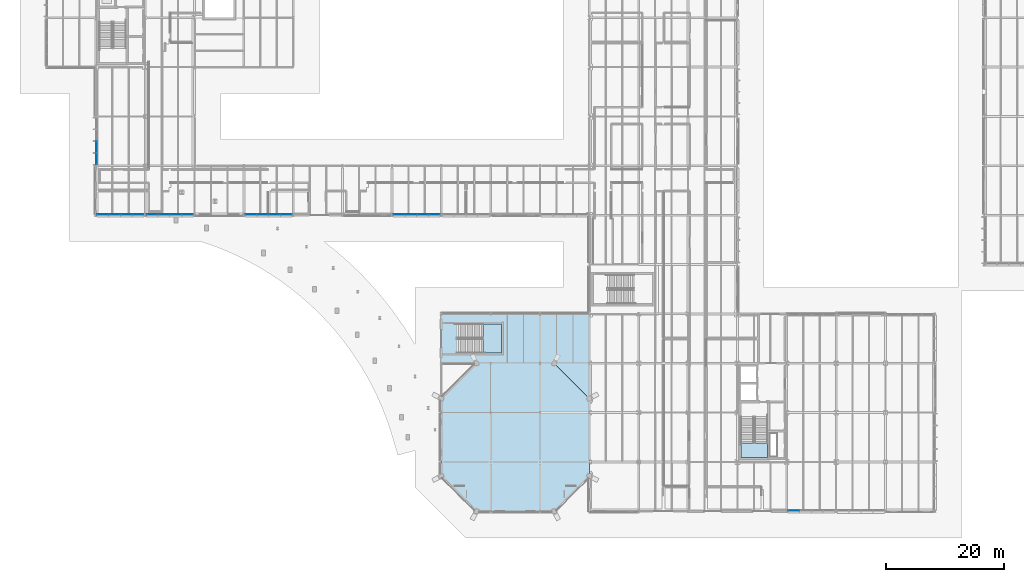
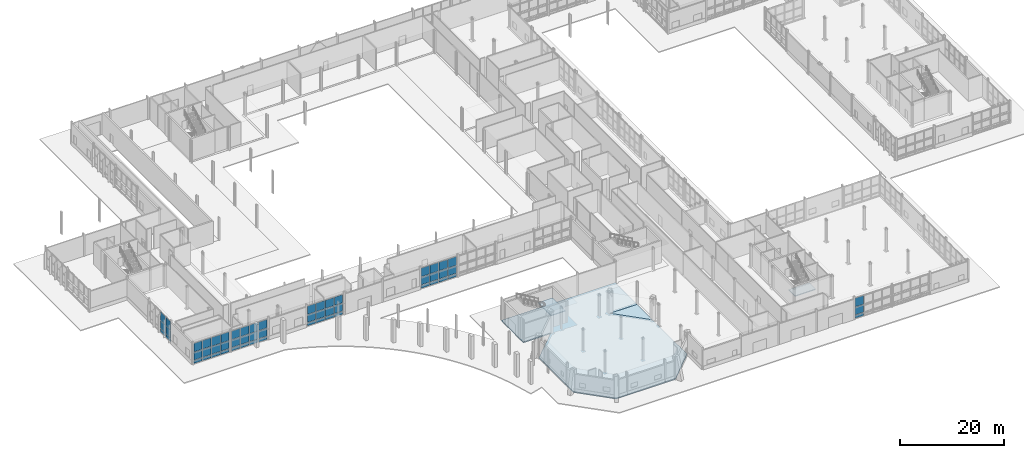
# One storey, part 70 of 124: 57 plates, 4 slabs, 8 elements without a shape of their own.
"""IFC4 building model written with IfcOpenShell, lengths in metres."""

from ifc_helpers import new_model, si_unit, direction, frame, origin, origin_2d, place, context, subcontext, project, spatial, polyline, rectangle, outline, extrude, material, layer, layer_set, type_object, element, aggregate, save


model = new_model("IFC4")

# Units and contexts
model_context = context("Model", 3, precision=1e-05, world=origin(), true_north=direction((0.0, 1.0)))
body_context = subcontext(model_context, "Body", "Model", "MODEL_VIEW")
ifc_project = project(units=[si_unit("LENGTHUNIT", "METRE"), si_unit("AREAUNIT", "SQUARE_METRE"), si_unit("VOLUMEUNIT", "CUBIC_METRE"), si_unit("PLANEANGLEUNIT", "RADIAN"), si_unit("MASSUNIT", "GRAM", prefix="KILO")], contexts=[model_context])

# Site, building, storey
site_placement = place(None, origin())
site = spatial("IfcSite", under=ifc_project, at=site_placement, CompositionType="ELEMENT")
building_placement = place(site_placement, origin())
building = spatial("IfcBuilding", under=site, at=building_placement, Name="Mersafa Astral City Hall", CompositionType="ELEMENT")
storey_placement = place(building_placement, origin())
storey = spatial("IfcBuildingStorey", under=building, at=storey_placement, Name="L00", CompositionType="ELEMENT", Elevation=0.0)

# Curtain wall, plates
ifc_material_1 = material(Name="Anodised bronze aluminium framing", Category="aluminium")
curtain_wall_type_1 = type_object("IfcCurtainWallType", Name="ENV-CW-5", PredefinedType="USERDEFINED", material=ifc_material_1)
curtain_wall_1_placement = place(storey_placement, origin())
curtain_wall_1 = element("IfcCurtainWall", 1, at=curtain_wall_1_placement, inside=storey, type_object=curtain_wall_type_1, Name="L00 Unitised solar curtain wall 40", ObjectType="UNITISED CURTAIN WALL", PredefinedType="USERDEFINED")
ifc_material_2 = material(Name="Solar control low-e double glazing", Category="glass")
ifc_layer_1 = layer(ifc_material_2, 0.028076171875, Name="Solar control low-e double glazing")
ifc_layer_set_1 = layer_set([ifc_layer_1], Name="Solar control low-e double glazing — ENV-CW-PNL-GLZ-1")
plate_type_1 = type_object("IfcPlateType", Name="ENV-CW-PNL-GLZ-1", PredefinedType="CURTAIN_PANEL", material=ifc_layer_set_1)
plate_1_placement = place(storey_placement, frame((18.00146484375, 50.52001953125, 0.05810546875), z_axis=(0.0, 0.0, 1.0), x_axis=(1.0, 0.0, 0.0)))
plate_1 = element("IfcPlate", 2, at=plate_1_placement, type_object=plate_type_1, Name="CW-5 panel 1.1", PredefinedType="CURTAIN_PANEL", context=body_context, shape_type="SweptSolid", body=[
    extrude(rectangle(XDim=1.839111328125, YDim=0.028076171875, at=origin_2d()), origin(), (0.0, 0.0, 1.0), 0.761962890625),
])
plate_2_placement = place(storey_placement, frame((18.00146484375, 50.52001953125, 0.8798828125), z_axis=(0.0, 0.0, 1.0), x_axis=(1.0, 0.0, 0.0)))
plate_2 = element("IfcPlate", 3, at=plate_2_placement, type_object=plate_type_1, Name="CW-5 panel 1.2", PredefinedType="CURTAIN_PANEL", context=body_context, shape_type="SweptSolid", body=[
    extrude(rectangle(XDim=1.839111328125, YDim=0.028076171875, at=origin_2d()), origin(), (0.0, 0.0, 1.0), 1.840087890625),
])
plate_3_placement = place(storey_placement, frame((18.00146484375, 50.52001953125, 2.7802734375), z_axis=(0.0, 0.0, 1.0), x_axis=(1.0, 0.0, 0.0)))
plate_3 = element("IfcPlate", 4, at=plate_3_placement, type_object=plate_type_1, Name="CW-5 panel 1.3", PredefinedType="CURTAIN_PANEL", context=body_context, shape_type="SweptSolid", body=[
    extrude(rectangle(XDim=1.839111328125, YDim=0.028076171875, at=origin_2d()), origin(), (0.0, 0.0, 1.0), 1.971923828125),
])
plate_4_placement = place(storey_placement, frame((19.990478515625, 50.52001953125, 0.05810546875), z_axis=(0.0, 0.0, 1.0), x_axis=(1.0, 0.0, 0.0)))
plate_4 = element("IfcPlate", 5, at=plate_4_placement, type_object=plate_type_1, Name="CW-5 panel 2.1", PredefinedType="CURTAIN_PANEL", context=body_context, shape_type="SweptSolid", body=[
    extrude(rectangle(XDim=1.89892578125, YDim=0.028076171875, at=origin_2d()), origin(), (0.0, 0.0, 1.0), 0.761962890625),
])
plate_5_placement = place(storey_placement, frame((19.990478515625, 50.52001953125, 0.8798828125), z_axis=(0.0, 0.0, 1.0), x_axis=(1.0, 0.0, 0.0)))
plate_5 = element("IfcPlate", 6, at=plate_5_placement, type_object=plate_type_1, Name="CW-5 panel 2.2", PredefinedType="CURTAIN_PANEL", context=body_context, shape_type="SweptSolid", body=[
    extrude(rectangle(XDim=1.89892578125, YDim=0.028076171875, at=origin_2d()), origin(), (0.0, 0.0, 1.0), 1.840087890625),
])
plate_6_placement = place(storey_placement, frame((19.990478515625, 50.52001953125, 2.7802734375), z_axis=(0.0, 0.0, 1.0), x_axis=(1.0, 0.0, 0.0)))
plate_6 = element("IfcPlate", 7, at=plate_6_placement, type_object=plate_type_1, Name="CW-5 panel 2.3", PredefinedType="CURTAIN_PANEL", context=body_context, shape_type="SweptSolid", body=[
    extrude(rectangle(XDim=1.89892578125, YDim=0.028076171875, at=origin_2d()), origin(), (0.0, 0.0, 1.0), 1.971923828125),
])
plate_7_placement = place(storey_placement, frame((22.009521484375, 50.52001953125, 0.05810546875), z_axis=(0.0, 0.0, 1.0), x_axis=(1.0, 0.0, 0.0)))
plate_7 = element("IfcPlate", 8, at=plate_7_placement, type_object=plate_type_1, Name="CW-5 panel 3.1", PredefinedType="CURTAIN_PANEL", context=body_context, shape_type="SweptSolid", body=[
    extrude(rectangle(XDim=1.89892578125, YDim=0.028076171875, at=origin_2d()), origin(), (0.0, 0.0, 1.0), 0.761962890625),
])
plate_8_placement = place(storey_placement, frame((22.009521484375, 50.52001953125, 0.8798828125), z_axis=(0.0, 0.0, 1.0), x_axis=(1.0, 0.0, 0.0)))
plate_8 = element("IfcPlate", 9, at=plate_8_placement, type_object=plate_type_1, Name="CW-5 panel 3.2", PredefinedType="CURTAIN_PANEL", context=body_context, shape_type="SweptSolid", body=[
    extrude(rectangle(XDim=1.89892578125, YDim=0.028076171875, at=origin_2d()), origin(), (0.0, 0.0, 1.0), 1.840087890625),
])
plate_9_placement = place(storey_placement, frame((22.009521484375, 50.52001953125, 2.7802734375), z_axis=(0.0, 0.0, 1.0), x_axis=(1.0, 0.0, 0.0)))
plate_9 = element("IfcPlate", 10, at=plate_9_placement, type_object=plate_type_1, Name="CW-5 panel 3.3", PredefinedType="CURTAIN_PANEL", context=body_context, shape_type="SweptSolid", body=[
    extrude(rectangle(XDim=1.89892578125, YDim=0.028076171875, at=origin_2d()), origin(), (0.0, 0.0, 1.0), 1.971923828125),
])
plate_10_placement = place(storey_placement, frame((23.99853515625, 50.52001953125, 0.05810546875), z_axis=(0.0, 0.0, 1.0), x_axis=(1.0, 0.0, 0.0)))
plate_10 = element("IfcPlate", 11, at=plate_10_placement, type_object=plate_type_1, Name="CW-5 panel 4.1", PredefinedType="CURTAIN_PANEL", context=body_context, shape_type="SweptSolid", body=[
    extrude(rectangle(XDim=1.839111328125, YDim=0.028076171875, at=origin_2d()), origin(), (0.0, 0.0, 1.0), 0.761962890625),
])
plate_11_placement = place(storey_placement, frame((23.99853515625, 50.52001953125, 0.8798828125), z_axis=(0.0, 0.0, 1.0), x_axis=(1.0, 0.0, 0.0)))
plate_11 = element("IfcPlate", 12, at=plate_11_placement, type_object=plate_type_1, Name="CW-5 panel 4.2", PredefinedType="CURTAIN_PANEL", context=body_context, shape_type="SweptSolid", body=[
    extrude(rectangle(XDim=1.839111328125, YDim=0.028076171875, at=origin_2d()), origin(), (0.0, 0.0, 1.0), 1.840087890625),
])
plate_12_placement = place(storey_placement, frame((23.99853515625, 50.52001953125, 2.7802734375), z_axis=(0.0, 0.0, 1.0), x_axis=(1.0, 0.0, 0.0)))
plate_12 = element("IfcPlate", 13, at=plate_12_placement, type_object=plate_type_1, Name="CW-5 panel 4.3", PredefinedType="CURTAIN_PANEL", context=body_context, shape_type="SweptSolid", body=[
    extrude(rectangle(XDim=1.839111328125, YDim=0.028076171875, at=origin_2d()), origin(), (0.0, 0.0, 1.0), 1.971923828125),
])
aggregate(curtain_wall_1, [plate_1, plate_2, plate_3, plate_4, plate_5, plate_6, plate_7, plate_8, plate_9, plate_10, plate_11, plate_12])

curtain_wall_type_2 = type_object("IfcCurtainWallType", Name="ENV-CW-2", PredefinedType="USERDEFINED", material=ifc_material_1)
curtain_wall_2_placement = place(storey_placement, origin())
curtain_wall_2 = element("IfcCurtainWall", 14, at=curtain_wall_2_placement, inside=storey, type_object=curtain_wall_type_2, Name="L00 Unitised solar curtain wall 1", ObjectType="UNITISED CURTAIN WALL", PredefinedType="USERDEFINED")
ifc_layer_2 = layer(ifc_material_2, 0.031982421875, Name="Solar control low-e double glazing")
ifc_layer_set_2 = layer_set([ifc_layer_2], Name="Solar control low-e double glazing — ENV-CW-PNL-GLZ-2")
plate_type_2 = type_object("IfcPlateType", Name="ENV-CW-PNL-GLZ-2", PredefinedType="CURTAIN_PANEL", material=ifc_layer_set_2)
plate_13_placement = place(storey_placement, frame((127.201416015625, 0.1201171875, 0.05810546875), z_axis=(0.0, 0.0, 1.0), x_axis=(1.0, 0.0, 0.0)))
plate_13 = element("IfcPlate", 15, at=plate_13_placement, type_object=plate_type_2, Name="CW-2 panel 1.1", PredefinedType="CURTAIN_PANEL", context=body_context, shape_type="SweptSolid", body=[
    extrude(rectangle(XDim=1.839111328125, YDim=0.031982421875, at=origin_2d()), origin(), (0.0, 0.0, 1.0), 0.761962890625),
])
plate_14_placement = place(storey_placement, frame((127.201416015625, 0.1201171875, 0.8798828125), z_axis=(0.0, 0.0, 1.0), x_axis=(1.0, 0.0, 0.0)))
plate_14 = element("IfcPlate", 16, at=plate_14_placement, type_object=plate_type_2, Name="CW-2 panel 1.2", PredefinedType="CURTAIN_PANEL", context=body_context, shape_type="SweptSolid", body=[
    extrude(rectangle(XDim=1.839111328125, YDim=0.031982421875, at=origin_2d()), origin(), (0.0, 0.0, 1.0), 1.840087890625),
])
plate_15_placement = place(storey_placement, frame((127.201416015625, 0.1201171875, 2.780029296875), z_axis=(0.0, 0.0, 1.0), x_axis=(1.0, 0.0, 0.0)))
plate_15 = element("IfcPlate", 17, at=plate_15_placement, type_object=plate_type_2, Name="CW-2 panel 1.3", PredefinedType="CURTAIN_PANEL", context=body_context, shape_type="SweptSolid", body=[
    extrude(rectangle(XDim=1.839111328125, YDim=0.031982421875, at=origin_2d()), origin(), (0.0, 0.0, 1.0), 2.001953125),
])
aggregate(curtain_wall_2, [plate_13, plate_14, plate_15])

curtain_wall_type_3 = type_object("IfcCurtainWallType", Name="ENV-CW-6", PredefinedType="USERDEFINED", material=ifc_material_1)
curtain_wall_3_placement = place(storey_placement, origin())
curtain_wall_3 = element("IfcCurtainWall", 18, at=curtain_wall_3_placement, inside=storey, type_object=curtain_wall_type_3, Name="L00 Unitised solar curtain wall 41", ObjectType="UNITISED CURTAIN WALL", PredefinedType="USERDEFINED")
plate_16_placement = place(storey_placement, frame((34.801513671875, 50.52001953125, 0.05810546875), z_axis=(0.0, 0.0, 1.0), x_axis=(1.0, 0.0, 0.0)))
plate_16 = element("IfcPlate", 19, at=plate_16_placement, type_object=plate_type_2, Name="CW-6 panel 1.1", PredefinedType="CURTAIN_PANEL", context=body_context, shape_type="SweptSolid", body=[
    extrude(rectangle(XDim=1.839111328125, YDim=0.031982421875, at=origin_2d()), origin(), (0.0, 0.0, 1.0), 0.761962890625),
])
plate_17_placement = place(storey_placement, frame((34.801513671875, 50.52001953125, 0.8798828125), z_axis=(0.0, 0.0, 1.0), x_axis=(1.0, 0.0, 0.0)))
plate_17 = element("IfcPlate", 20, at=plate_17_placement, type_object=plate_type_2, Name="CW-6 panel 1.2", PredefinedType="CURTAIN_PANEL", context=body_context, shape_type="SweptSolid", body=[
    extrude(rectangle(XDim=1.839111328125, YDim=0.031982421875, at=origin_2d()), origin(), (0.0, 0.0, 1.0), 1.840087890625),
])
plate_18_placement = place(storey_placement, frame((34.801513671875, 50.52001953125, 2.77978515625), z_axis=(0.0, 0.0, 1.0), x_axis=(1.0, 0.0, 0.0)))
plate_18 = element("IfcPlate", 21, at=plate_18_placement, type_object=plate_type_2, Name="CW-6 panel 1.3", PredefinedType="CURTAIN_PANEL", context=body_context, shape_type="SweptSolid", body=[
    extrude(rectangle(XDim=1.839111328125, YDim=0.031982421875, at=origin_2d()), origin(), (0.0, 0.0, 1.0), 1.927001953125),
])
plate_19_placement = place(storey_placement, frame((36.79052734375, 50.52001953125, 0.05810546875), z_axis=(0.0, 0.0, 1.0), x_axis=(1.0, 0.0, 0.0)))
plate_19 = element("IfcPlate", 22, at=plate_19_placement, type_object=plate_type_2, Name="CW-6 panel 2.1", PredefinedType="CURTAIN_PANEL", context=body_context, shape_type="SweptSolid", body=[
    extrude(rectangle(XDim=1.89892578125, YDim=0.031982421875, at=origin_2d()), origin(), (0.0, 0.0, 1.0), 0.761962890625),
])
plate_20_placement = place(storey_placement, frame((36.79052734375, 50.52001953125, 0.8798828125), z_axis=(0.0, 0.0, 1.0), x_axis=(1.0, 0.0, 0.0)))
plate_20 = element("IfcPlate", 23, at=plate_20_placement, type_object=plate_type_2, Name="CW-6 panel 2.2", PredefinedType="CURTAIN_PANEL", context=body_context, shape_type="SweptSolid", body=[
    extrude(rectangle(XDim=1.89892578125, YDim=0.031982421875, at=origin_2d()), origin(), (0.0, 0.0, 1.0), 1.840087890625),
])
plate_21_placement = place(storey_placement, frame((36.79052734375, 50.52001953125, 2.77978515625), z_axis=(0.0, 0.0, 1.0), x_axis=(1.0, 0.0, 0.0)))
plate_21 = element("IfcPlate", 24, at=plate_21_placement, type_object=plate_type_2, Name="CW-6 panel 2.3", PredefinedType="CURTAIN_PANEL", context=body_context, shape_type="SweptSolid", body=[
    extrude(rectangle(XDim=1.89892578125, YDim=0.031982421875, at=origin_2d()), origin(), (0.0, 0.0, 1.0), 1.927001953125),
])
plate_22_placement = place(storey_placement, frame((38.8095703125, 50.52001953125, 0.05810546875), z_axis=(0.0, 0.0, 1.0), x_axis=(1.0, 0.0, 0.0)))
plate_22 = element("IfcPlate", 25, at=plate_22_placement, type_object=plate_type_2, Name="CW-6 panel 3.1", PredefinedType="CURTAIN_PANEL", context=body_context, shape_type="SweptSolid", body=[
    extrude(rectangle(XDim=1.89892578125, YDim=0.031982421875, at=origin_2d()), origin(), (0.0, 0.0, 1.0), 0.761962890625),
])
plate_23_placement = place(storey_placement, frame((38.8095703125, 50.52001953125, 0.8798828125), z_axis=(0.0, 0.0, 1.0), x_axis=(1.0, 0.0, 0.0)))
plate_23 = element("IfcPlate", 26, at=plate_23_placement, type_object=plate_type_2, Name="CW-6 panel 3.2", PredefinedType="CURTAIN_PANEL", context=body_context, shape_type="SweptSolid", body=[
    extrude(rectangle(XDim=1.89892578125, YDim=0.031982421875, at=origin_2d()), origin(), (0.0, 0.0, 1.0), 1.840087890625),
])
plate_24_placement = place(storey_placement, frame((38.8095703125, 50.52001953125, 2.77978515625), z_axis=(0.0, 0.0, 1.0), x_axis=(1.0, 0.0, 0.0)))
plate_24 = element("IfcPlate", 27, at=plate_24_placement, type_object=plate_type_2, Name="CW-6 panel 3.3", PredefinedType="CURTAIN_PANEL", context=body_context, shape_type="SweptSolid", body=[
    extrude(rectangle(XDim=1.89892578125, YDim=0.031982421875, at=origin_2d()), origin(), (0.0, 0.0, 1.0), 1.927001953125),
])
plate_25_placement = place(storey_placement, frame((40.798583984375, 50.52001953125, 0.05810546875), z_axis=(0.0, 0.0, 1.0), x_axis=(1.0, 0.0, 0.0)))
plate_25 = element("IfcPlate", 28, at=plate_25_placement, type_object=plate_type_2, Name="CW-6 panel 4.1", PredefinedType="CURTAIN_PANEL", context=body_context, shape_type="SweptSolid", body=[
    extrude(rectangle(XDim=1.839111328125, YDim=0.031982421875, at=origin_2d()), origin(), (0.0, 0.0, 1.0), 0.761962890625),
])
plate_26_placement = place(storey_placement, frame((40.798583984375, 50.52001953125, 0.8798828125), z_axis=(0.0, 0.0, 1.0), x_axis=(1.0, 0.0, 0.0)))
plate_26 = element("IfcPlate", 29, at=plate_26_placement, type_object=plate_type_2, Name="CW-6 panel 4.2", PredefinedType="CURTAIN_PANEL", context=body_context, shape_type="SweptSolid", body=[
    extrude(rectangle(XDim=1.839111328125, YDim=0.031982421875, at=origin_2d()), origin(), (0.0, 0.0, 1.0), 1.840087890625),
])
plate_27_placement = place(storey_placement, frame((40.798583984375, 50.52001953125, 2.77978515625), z_axis=(0.0, 0.0, 1.0), x_axis=(1.0, 0.0, 0.0)))
plate_27 = element("IfcPlate", 30, at=plate_27_placement, type_object=plate_type_2, Name="CW-6 panel 4.3", PredefinedType="CURTAIN_PANEL", context=body_context, shape_type="SweptSolid", body=[
    extrude(rectangle(XDim=1.839111328125, YDim=0.031982421875, at=origin_2d()), origin(), (0.0, 0.0, 1.0), 1.927001953125),
])
aggregate(curtain_wall_3, [plate_16, plate_17, plate_18, plate_19, plate_20, plate_21, plate_22, plate_23, plate_24, plate_25, plate_26, plate_27])

curtain_wall_type_4 = type_object("IfcCurtainWallType", Name="ENV-CW-3", PredefinedType="USERDEFINED", material=ifc_material_1)
curtain_wall_4_placement = place(storey_placement, origin())
curtain_wall_4 = element("IfcCurtainWall", 31, at=curtain_wall_4_placement, inside=storey, type_object=curtain_wall_type_4, Name="L00 Unitised solar curtain wall 38", ObjectType="UNITISED CURTAIN WALL", PredefinedType="USERDEFINED")
ifc_layer_3 = layer(ifc_material_2, 0.035888671875, Name="Solar control low-e double glazing")
ifc_layer_set_3 = layer_set([ifc_layer_3], Name="Solar control low-e double glazing — ENV-CW-PNL-GLZ-3")
plate_type_3 = type_object("IfcPlateType", Name="ENV-CW-PNL-GLZ-3", PredefinedType="CURTAIN_PANEL", material=ifc_layer_set_3)
plate_28_placement = place(storey_placement, frame((8.52001953125, 61.990478515625, 0.05810546875), z_axis=(0.0, 0.0, 1.0), x_axis=(0.0, -1.0, 0.0)))
plate_28 = element("IfcPlate", 32, at=plate_28_placement, type_object=plate_type_3, Name="CW-3 panel 3.1", PredefinedType="CURTAIN_PANEL", context=body_context, shape_type="SweptSolid", body=[
    extrude(rectangle(XDim=1.89892578125, YDim=0.035888671875, at=origin_2d()), origin(), (0.0, 0.0, 1.0), 0.761962890625),
])
plate_29_placement = place(storey_placement, frame((8.52001953125, 61.990478515625, 0.8798828125), z_axis=(0.0, 0.0, 1.0), x_axis=(0.0, -1.0, 0.0)))
plate_29 = element("IfcPlate", 33, at=plate_29_placement, type_object=plate_type_3, Name="CW-3 panel 3.2", PredefinedType="CURTAIN_PANEL", context=body_context, shape_type="SweptSolid", body=[
    extrude(rectangle(XDim=1.89892578125, YDim=0.035888671875, at=origin_2d()), origin(), (0.0, 0.0, 1.0), 1.840087890625),
])
plate_30_placement = place(storey_placement, frame((8.52001953125, 61.990478515625, 2.7802734375), z_axis=(0.0, 0.0, 1.0), x_axis=(0.0, -1.0, 0.0)))
plate_30 = element("IfcPlate", 34, at=plate_30_placement, type_object=plate_type_3, Name="CW-3 panel 3.3", PredefinedType="CURTAIN_PANEL", context=body_context, shape_type="SweptSolid", body=[
    extrude(rectangle(XDim=1.89892578125, YDim=0.035888671875, at=origin_2d()), origin(), (0.0, 0.0, 1.0), 1.971923828125),
])
plate_31_placement = place(storey_placement, frame((8.52001953125, 60.00146484375, 0.05810546875), z_axis=(0.0, 0.0, 1.0), x_axis=(0.0, -1.0, 0.0)))
plate_31 = element("IfcPlate", 35, at=plate_31_placement, type_object=plate_type_3, Name="CW-3 panel 4.1", PredefinedType="CURTAIN_PANEL", context=body_context, shape_type="SweptSolid", body=[
    extrude(rectangle(XDim=1.839111328125, YDim=0.035888671875, at=origin_2d()), origin(), (0.0, 0.0, 1.0), 0.761962890625),
])
plate_32_placement = place(storey_placement, frame((8.52001953125, 60.00146484375, 0.8798828125), z_axis=(0.0, 0.0, 1.0), x_axis=(0.0, -1.0, 0.0)))
plate_32 = element("IfcPlate", 36, at=plate_32_placement, type_object=plate_type_3, Name="CW-3 panel 4.2", PredefinedType="CURTAIN_PANEL", context=body_context, shape_type="SweptSolid", body=[
    extrude(rectangle(XDim=1.839111328125, YDim=0.035888671875, at=origin_2d()), origin(), (0.0, 0.0, 1.0), 1.840087890625),
])
plate_33_placement = place(storey_placement, frame((8.52001953125, 60.00146484375, 2.7802734375), z_axis=(0.0, 0.0, 1.0), x_axis=(0.0, -1.0, 0.0)))
plate_33 = element("IfcPlate", 37, at=plate_33_placement, type_object=plate_type_3, Name="CW-3 panel 4.3", PredefinedType="CURTAIN_PANEL", context=body_context, shape_type="SweptSolid", body=[
    extrude(rectangle(XDim=1.839111328125, YDim=0.035888671875, at=origin_2d()), origin(), (0.0, 0.0, 1.0), 1.971923828125),
])
aggregate(curtain_wall_4, [plate_28, plate_29, plate_30, plate_31, plate_32, plate_33])

curtain_wall_type_5 = type_object("IfcCurtainWallType", Name="ENV-CW-1", PredefinedType="USERDEFINED", material=ifc_material_1)
curtain_wall_5_placement = place(storey_placement, origin())
curtain_wall_5 = element("IfcCurtainWall", 38, at=curtain_wall_5_placement, inside=storey, type_object=curtain_wall_type_5, Name="L00 Unitised solar curtain wall 42", ObjectType="UNITISED CURTAIN WALL", PredefinedType="USERDEFINED")
plate_34_placement = place(storey_placement, frame((60.00146484375, 50.52001953125, 0.05810546875), z_axis=(0.0, 0.0, 1.0), x_axis=(1.0, 0.0, 0.0)))
plate_34 = element("IfcPlate", 39, at=plate_34_placement, type_object=plate_type_3, Name="CW-1 panel 1.1", PredefinedType="CURTAIN_PANEL", context=body_context, shape_type="SweptSolid", body=[
    extrude(rectangle(XDim=1.839111328125, YDim=0.035888671875, at=origin_2d()), origin(), (0.0, 0.0, 1.0), 0.761962890625),
])
plate_35_placement = place(storey_placement, frame((60.00146484375, 50.52001953125, 0.8798828125), z_axis=(0.0, 0.0, 1.0), x_axis=(1.0, 0.0, 0.0)))
plate_35 = element("IfcPlate", 40, at=plate_35_placement, type_object=plate_type_3, Name="CW-1 panel 1.2", PredefinedType="CURTAIN_PANEL", context=body_context, shape_type="SweptSolid", body=[
    extrude(rectangle(XDim=1.839111328125, YDim=0.035888671875, at=origin_2d()), origin(), (0.0, 0.0, 1.0), 1.840087890625),
])
plate_36_placement = place(storey_placement, frame((60.00146484375, 50.52001953125, 2.780029296875), z_axis=(0.0, 0.0, 1.0), x_axis=(1.0, 0.0, 0.0)))
plate_36 = element("IfcPlate", 41, at=plate_36_placement, type_object=plate_type_3, Name="CW-1 panel 1.3", PredefinedType="CURTAIN_PANEL", context=body_context, shape_type="SweptSolid", body=[
    extrude(rectangle(XDim=1.839111328125, YDim=0.035888671875, at=origin_2d()), origin(), (0.0, 0.0, 1.0), 2.001953125),
])
plate_37_placement = place(storey_placement, frame((61.990478515625, 50.52001953125, 0.05810546875), z_axis=(0.0, 0.0, 1.0), x_axis=(1.0, 0.0, 0.0)))
plate_37 = element("IfcPlate", 42, at=plate_37_placement, type_object=plate_type_3, Name="CW-1 panel 2.1", PredefinedType="CURTAIN_PANEL", context=body_context, shape_type="SweptSolid", body=[
    extrude(rectangle(XDim=1.89892578125, YDim=0.035888671875, at=origin_2d()), origin(), (0.0, 0.0, 1.0), 0.761962890625),
])
plate_38_placement = place(storey_placement, frame((61.990478515625, 50.52001953125, 0.8798828125), z_axis=(0.0, 0.0, 1.0), x_axis=(1.0, 0.0, 0.0)))
plate_38 = element("IfcPlate", 43, at=plate_38_placement, type_object=plate_type_3, Name="CW-1 panel 2.2", PredefinedType="CURTAIN_PANEL", context=body_context, shape_type="SweptSolid", body=[
    extrude(rectangle(XDim=1.89892578125, YDim=0.035888671875, at=origin_2d()), origin(), (0.0, 0.0, 1.0), 1.840087890625),
])
plate_39_placement = place(storey_placement, frame((61.990478515625, 50.52001953125, 2.780029296875), z_axis=(0.0, 0.0, 1.0), x_axis=(1.0, 0.0, 0.0)))
plate_39 = element("IfcPlate", 44, at=plate_39_placement, type_object=plate_type_3, Name="CW-1 panel 2.3", PredefinedType="CURTAIN_PANEL", context=body_context, shape_type="SweptSolid", body=[
    extrude(rectangle(XDim=1.89892578125, YDim=0.035888671875, at=origin_2d()), origin(), (0.0, 0.0, 1.0), 2.001953125),
])
plate_40_placement = place(storey_placement, frame((64.009521484375, 50.52001953125, 0.05810546875), z_axis=(0.0, 0.0, 1.0), x_axis=(1.0, 0.0, 0.0)))
plate_40 = element("IfcPlate", 45, at=plate_40_placement, type_object=plate_type_3, Name="CW-1 panel 3.1", PredefinedType="CURTAIN_PANEL", context=body_context, shape_type="SweptSolid", body=[
    extrude(rectangle(XDim=1.89892578125, YDim=0.035888671875, at=origin_2d()), origin(), (0.0, 0.0, 1.0), 0.761962890625),
])
plate_41_placement = place(storey_placement, frame((64.009521484375, 50.52001953125, 0.8798828125), z_axis=(0.0, 0.0, 1.0), x_axis=(1.0, 0.0, 0.0)))
plate_41 = element("IfcPlate", 46, at=plate_41_placement, type_object=plate_type_3, Name="CW-1 panel 3.2", PredefinedType="CURTAIN_PANEL", context=body_context, shape_type="SweptSolid", body=[
    extrude(rectangle(XDim=1.89892578125, YDim=0.035888671875, at=origin_2d()), origin(), (0.0, 0.0, 1.0), 1.840087890625),
])
plate_42_placement = place(storey_placement, frame((64.009521484375, 50.52001953125, 2.780029296875), z_axis=(0.0, 0.0, 1.0), x_axis=(1.0, 0.0, 0.0)))
plate_42 = element("IfcPlate", 47, at=plate_42_placement, type_object=plate_type_3, Name="CW-1 panel 3.3", PredefinedType="CURTAIN_PANEL", context=body_context, shape_type="SweptSolid", body=[
    extrude(rectangle(XDim=1.89892578125, YDim=0.035888671875, at=origin_2d()), origin(), (0.0, 0.0, 1.0), 2.001953125),
])
plate_43_placement = place(storey_placement, frame((65.99853515625, 50.52001953125, 0.05810546875), z_axis=(0.0, 0.0, 1.0), x_axis=(1.0, 0.0, 0.0)))
plate_43 = element("IfcPlate", 48, at=plate_43_placement, type_object=plate_type_3, Name="CW-1 panel 4.1", PredefinedType="CURTAIN_PANEL", context=body_context, shape_type="SweptSolid", body=[
    extrude(rectangle(XDim=1.839111328125, YDim=0.035888671875, at=origin_2d()), origin(), (0.0, 0.0, 1.0), 0.761962890625),
])
plate_44_placement = place(storey_placement, frame((65.99853515625, 50.52001953125, 0.8798828125), z_axis=(0.0, 0.0, 1.0), x_axis=(1.0, 0.0, 0.0)))
plate_44 = element("IfcPlate", 49, at=plate_44_placement, type_object=plate_type_3, Name="CW-1 panel 4.2", PredefinedType="CURTAIN_PANEL", context=body_context, shape_type="SweptSolid", body=[
    extrude(rectangle(XDim=1.839111328125, YDim=0.035888671875, at=origin_2d()), origin(), (0.0, 0.0, 1.0), 1.840087890625),
])
plate_45_placement = place(storey_placement, frame((65.99853515625, 50.52001953125, 2.780029296875), z_axis=(0.0, 0.0, 1.0), x_axis=(1.0, 0.0, 0.0)))
plate_45 = element("IfcPlate", 50, at=plate_45_placement, type_object=plate_type_3, Name="CW-1 panel 4.3", PredefinedType="CURTAIN_PANEL", context=body_context, shape_type="SweptSolid", body=[
    extrude(rectangle(XDim=1.839111328125, YDim=0.035888671875, at=origin_2d()), origin(), (0.0, 0.0, 1.0), 2.001953125),
])
aggregate(curtain_wall_5, [plate_34, plate_35, plate_36, plate_37, plate_38, plate_39, plate_40, plate_41, plate_42, plate_43, plate_44, plate_45])

curtain_wall_type_6 = type_object("IfcCurtainWallType", Name="ENV-CW-4", PredefinedType="USERDEFINED", material=ifc_material_1)
curtain_wall_6_placement = place(storey_placement, origin())
curtain_wall_6 = element("IfcCurtainWall", 51, at=curtain_wall_6_placement, inside=storey, type_object=curtain_wall_type_6, Name="L00 Unitised solar curtain wall 39", ObjectType="UNITISED CURTAIN WALL", PredefinedType="USERDEFINED")
ifc_layer_4 = layer(ifc_material_2, 0.0400390625, Name="Solar control low-e double glazing")
ifc_layer_set_4 = layer_set([ifc_layer_4], Name="Solar control low-e double glazing — ENV-CW-PNL-GLZ-4")
plate_type_4 = type_object("IfcPlateType", Name="ENV-CW-PNL-GLZ-4", PredefinedType="CURTAIN_PANEL", material=ifc_layer_set_4)
plate_46_placement = place(storey_placement, frame((9.6015625, 50.52001953125, 0.05810546875), z_axis=(0.0, 0.0, 1.0), x_axis=(1.0, 0.0, 0.0)))
plate_46 = element("IfcPlate", 52, at=plate_46_placement, type_object=plate_type_4, Name="CW-4 panel 1.1", PredefinedType="CURTAIN_PANEL", context=body_context, shape_type="SweptSolid", body=[
    extrude(rectangle(XDim=1.839111328125, YDim=0.0400390625, at=origin_2d()), origin(), (0.0, 0.0, 1.0), 0.761962890625),
])
plate_47_placement = place(storey_placement, frame((9.6015625, 50.52001953125, 0.8798828125), z_axis=(0.0, 0.0, 1.0), x_axis=(1.0, 0.0, 0.0)))
plate_47 = element("IfcPlate", 53, at=plate_47_placement, type_object=plate_type_4, Name="CW-4 panel 1.2", PredefinedType="CURTAIN_PANEL", context=body_context, shape_type="SweptSolid", body=[
    extrude(rectangle(XDim=1.839111328125, YDim=0.0400390625, at=origin_2d()), origin(), (0.0, 0.0, 1.0), 1.840087890625),
])
plate_48_placement = place(storey_placement, frame((9.6015625, 50.52001953125, 2.780029296875), z_axis=(0.0, 0.0, 1.0), x_axis=(1.0, 0.0, 0.0)))
plate_48 = element("IfcPlate", 54, at=plate_48_placement, type_object=plate_type_4, Name="CW-4 panel 1.3", PredefinedType="CURTAIN_PANEL", context=body_context, shape_type="SweptSolid", body=[
    extrude(rectangle(XDim=1.839111328125, YDim=0.0400390625, at=origin_2d()), origin(), (0.0, 0.0, 1.0), 2.001953125),
])
plate_49_placement = place(storey_placement, frame((11.590576171875, 50.52001953125, 0.05810546875), z_axis=(0.0, 0.0, 1.0), x_axis=(1.0, 0.0, 0.0)))
plate_49 = element("IfcPlate", 55, at=plate_49_placement, type_object=plate_type_4, Name="CW-4 panel 2.1", PredefinedType="CURTAIN_PANEL", context=body_context, shape_type="SweptSolid", body=[
    extrude(rectangle(XDim=1.89892578125, YDim=0.0400390625, at=origin_2d()), origin(), (0.0, 0.0, 1.0), 0.761962890625),
])
plate_50_placement = place(storey_placement, frame((11.590576171875, 50.52001953125, 0.8798828125), z_axis=(0.0, 0.0, 1.0), x_axis=(1.0, 0.0, 0.0)))
plate_50 = element("IfcPlate", 56, at=plate_50_placement, type_object=plate_type_4, Name="CW-4 panel 2.2", PredefinedType="CURTAIN_PANEL", context=body_context, shape_type="SweptSolid", body=[
    extrude(rectangle(XDim=1.89892578125, YDim=0.0400390625, at=origin_2d()), origin(), (0.0, 0.0, 1.0), 1.840087890625),
])
plate_51_placement = place(storey_placement, frame((11.590576171875, 50.52001953125, 2.780029296875), z_axis=(0.0, 0.0, 1.0), x_axis=(1.0, 0.0, 0.0)))
plate_51 = element("IfcPlate", 57, at=plate_51_placement, type_object=plate_type_4, Name="CW-4 panel 2.3", PredefinedType="CURTAIN_PANEL", context=body_context, shape_type="SweptSolid", body=[
    extrude(rectangle(XDim=1.89892578125, YDim=0.0400390625, at=origin_2d()), origin(), (0.0, 0.0, 1.0), 2.001953125),
])
plate_52_placement = place(storey_placement, frame((13.609619140625, 50.52001953125, 0.05810546875), z_axis=(0.0, 0.0, 1.0), x_axis=(1.0, 0.0, 0.0)))
plate_52 = element("IfcPlate", 58, at=plate_52_placement, type_object=plate_type_4, Name="CW-4 panel 3.1", PredefinedType="CURTAIN_PANEL", context=body_context, shape_type="SweptSolid", body=[
    extrude(rectangle(XDim=1.89892578125, YDim=0.0400390625, at=origin_2d()), origin(), (0.0, 0.0, 1.0), 0.761962890625),
])
plate_53_placement = place(storey_placement, frame((13.609619140625, 50.52001953125, 0.8798828125), z_axis=(0.0, 0.0, 1.0), x_axis=(1.0, 0.0, 0.0)))
plate_53 = element("IfcPlate", 59, at=plate_53_placement, type_object=plate_type_4, Name="CW-4 panel 3.2", PredefinedType="CURTAIN_PANEL", context=body_context, shape_type="SweptSolid", body=[
    extrude(rectangle(XDim=1.89892578125, YDim=0.0400390625, at=origin_2d()), origin(), (0.0, 0.0, 1.0), 1.840087890625),
])
plate_54_placement = place(storey_placement, frame((13.609619140625, 50.52001953125, 2.780029296875), z_axis=(0.0, 0.0, 1.0), x_axis=(1.0, 0.0, 0.0)))
plate_54 = element("IfcPlate", 60, at=plate_54_placement, type_object=plate_type_4, Name="CW-4 panel 3.3", PredefinedType="CURTAIN_PANEL", context=body_context, shape_type="SweptSolid", body=[
    extrude(rectangle(XDim=1.89892578125, YDim=0.0400390625, at=origin_2d()), origin(), (0.0, 0.0, 1.0), 2.001953125),
])
plate_55_placement = place(storey_placement, frame((15.598388671875, 50.52001953125, 0.05810546875), z_axis=(0.0, 0.0, 1.0), x_axis=(1.0, 0.0, 0.0)))
plate_55 = element("IfcPlate", 61, at=plate_55_placement, type_object=plate_type_4, Name="CW-4 panel 4.1", PredefinedType="CURTAIN_PANEL", context=body_context, shape_type="SweptSolid", body=[
    extrude(rectangle(XDim=1.839111328125, YDim=0.0400390625, at=origin_2d()), origin(), (0.0, 0.0, 1.0), 0.761962890625),
])
plate_56_placement = place(storey_placement, frame((15.598388671875, 50.52001953125, 0.8798828125), z_axis=(0.0, 0.0, 1.0), x_axis=(1.0, 0.0, 0.0)))
plate_56 = element("IfcPlate", 62, at=plate_56_placement, type_object=plate_type_4, Name="CW-4 panel 4.2", PredefinedType="CURTAIN_PANEL", context=body_context, shape_type="SweptSolid", body=[
    extrude(rectangle(XDim=1.839111328125, YDim=0.0400390625, at=origin_2d()), origin(), (0.0, 0.0, 1.0), 1.840087890625),
])
plate_57_placement = place(storey_placement, frame((15.598388671875, 50.52001953125, 2.780029296875), z_axis=(0.0, 0.0, 1.0), x_axis=(1.0, 0.0, 0.0)))
plate_57 = element("IfcPlate", 63, at=plate_57_placement, type_object=plate_type_4, Name="CW-4 panel 4.3", PredefinedType="CURTAIN_PANEL", context=body_context, shape_type="SweptSolid", body=[
    extrude(rectangle(XDim=1.839111328125, YDim=0.0400390625, at=origin_2d()), origin(), (0.0, 0.0, 1.0), 2.001953125),
])
aggregate(curtain_wall_6, [plate_46, plate_47, plate_48, plate_49, plate_50, plate_51, plate_52, plate_53, plate_54, plate_55, plate_56, plate_57])

# Stair, slab
ifc_material_3 = material(Name="Concrete C40/50", Category="concrete")
stair_type = type_object("IfcStairType", Name="STAIR", PredefinedType="HALF_TURN_STAIR", material=ifc_material_3)
stair_1_placement = place(storey_placement, origin())
stair_1 = element("IfcStair", 64, at=stair_1_placement, inside=storey, type_object=stair_type, Name="L00 Protected Exit Stair ST5", PredefinedType="HALF_TURN_STAIR")
ifc_layer_5 = layer(ifc_material_3, 0.199951171875, Name="Concrete C40/50")
ifc_layer_set_5 = layer_set([ifc_layer_5], Name="Concrete C40/50 — STAIR-LANDING")
slab_type_1 = type_object("IfcSlabType", Name="STAIR-LANDING", PredefinedType="LANDING", material=ifc_layer_set_5)
slab_1_placement = place(storey_placement, frame((0.0, 0.0, 2.5)))
slab_1 = element("IfcSlab", 65, at=slab_1_placement, type_object=slab_type_1, Name="ST5 landing 1", PredefinedType="LANDING", context=body_context, shape_type="SweptSolid", body=[
    extrude(outline(polyline([(118.179931640625, 11.60009765625), (118.179931640625, 9.14990234375), (122.739990234375, 9.14990234375), (122.739990234375, 11.60009765625), (118.179931640625, 11.60009765625)])), origin(), (0.0, 0.0, 1.0), 0.199951171875),
])
aggregate(stair_1, [slab_1])

stair_2_placement = place(storey_placement, origin())
stair_2 = element("IfcStair", 66, at=stair_2_placement, inside=storey, type_object=stair_type, Name="L00 Assembly Protected Exit Stair ST7", PredefinedType="HALF_TURN_STAIR")
slab_2_placement = place(storey_placement, frame((0.0, 0.0, 2.5)))
slab_2 = element("IfcSlab", 67, at=slab_2_placement, type_object=slab_type_1, Name="ST7 landing 1", PredefinedType="LANDING", context=body_context, shape_type="SweptSolid", body=[
    extrude(outline(polyline([(74.330078125, 26.919921875), (77.47998046875, 26.919921875), (77.47998046875, 31.8798828125), (74.330078125, 31.8798828125), (74.330078125, 26.919921875)])), origin(), (0.0, 0.0, 1.0), 0.199951171875),
])
aggregate(stair_2, [slab_2])

# Slabs
ifc_material_4 = material(Name="Concrete C35/45", Category="concrete")
ifc_layer_6 = layer(ifc_material_4, 0.239990234375, Name="Concrete C35/45")
ifc_layer_set_6 = layer_set([ifc_layer_6], Name="Concrete C35/45 — STR-SLAB-APRON-240")
slab_type_2 = type_object("IfcSlabType", Name="STR-SLAB-APRON-240", PredefinedType="BASESLAB", material=ifc_layer_set_6)
slab_3_placement = place(storey_placement, frame((0.0, 0.0, -0.239990234375)))
element("IfcSlab", 68, at=slab_3_placement, inside=storey, type_object=slab_type_2, Name="L00 Exterior civic plaza apron slab 3", PredefinedType="BASESLAB", context=body_context, shape_type="SweptSolid", body=[
    extrude(outline(polyline([(92.39208984375, 25.19189453125), (92.39208984375, 19.21923828125), (86.419189453125, 25.19189453125), (92.39208984375, 25.19189453125)])), origin(), (0.0, 0.0, 1.0), 0.239990234375),
])
ifc_layer_7 = layer(ifc_material_4, 0.25, Name="Concrete C35/45")
ifc_layer_set_7 = layer_set([ifc_layer_7], Name="Concrete C35/45 — STR-SLAB-FLR-250")
slab_type_3 = type_object("IfcSlabType", Name="STR-SLAB-FLR-250", PredefinedType="FLOOR", material=ifc_layer_set_7)
slab_4_placement = place(storey_placement, frame((0.0, 0.0, -0.25)))
element("IfcSlab", 69, at=slab_4_placement, inside=storey, type_object=slab_type_3, Name="L00 V1 structural floor slab 1", PredefinedType="FLOOR", context=body_context, shape_type="SweptSolid", body=[
    extrude(outline(polyline([(73.199951171875, 25.199951171875), (67.199951171875, 25.199951171875), (67.199951171875, 25.199951171875), (67.199951171875, 33.60009765625), (75.60009765625, 33.60009765625), (84.0, 33.60009765625), (92.39990234375, 33.60009765625), (92.39990234375, 25.199951171875), (92.39990234375, 25.199951171875), (86.39990234375, 25.199951171875), (92.39990234375, 19.199951171875), (92.39990234375, 16.800048828125), (92.39990234375, 8.39990234375), (92.39990234375, 6.0), (86.39990234375, 0.0), (84.0, 0.0), (75.60009765625, 0.0), (73.199951171875, 0.0), (67.199951171875, 6.0), (67.199951171875, 8.39990234375), (67.199951171875, 16.800048828125), (67.199951171875, 19.199951171875), (73.199951171875, 25.199951171875)])), origin(), (0.0, 0.0, 1.0), 0.25),
])

save(model, "model.ifc")
